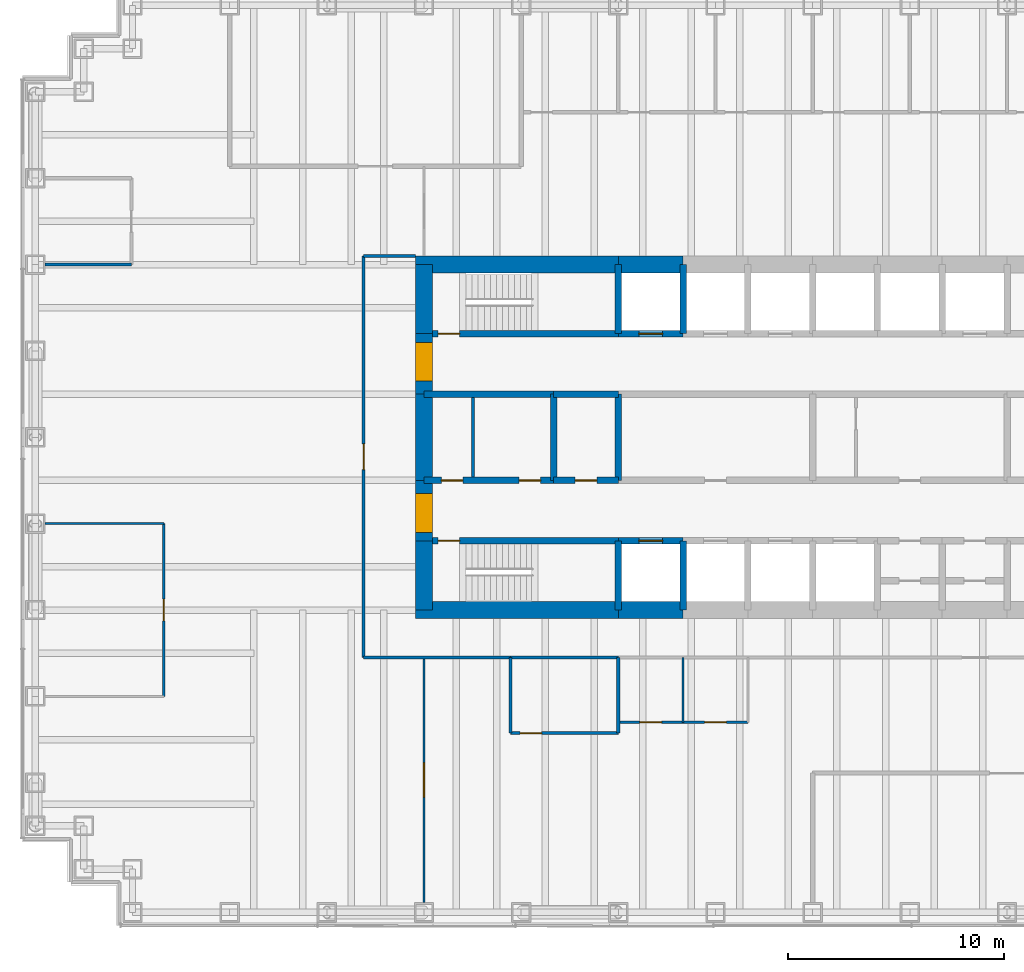
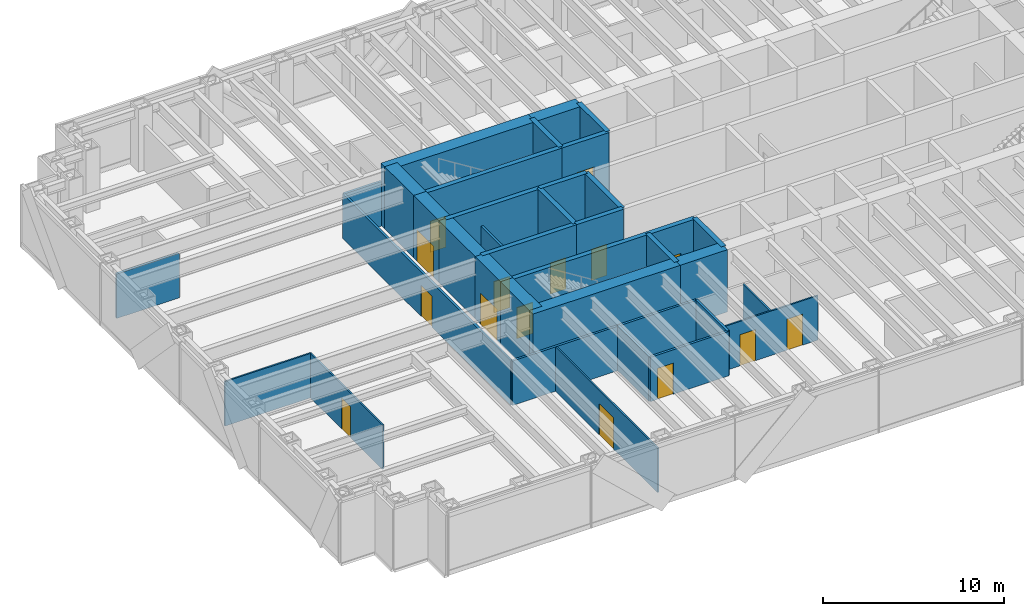
# One storey, part 10 of 14: 37 walls, 15 doors, 15 openings.
"""IFC4 building model written with IfcOpenShell, lengths in metres."""

from ifc_helpers import new_model, si_unit, direction, frame, frame_2d, origin, place, context, subcontext, project, spatial, rectangle, extrude, material, layer, layer_set, type_object, element, fill, save


model = new_model("IFC4")

# Units and contexts
model_context = context("Model", 3, precision=1e-05, world=origin(), true_north=direction((0.0, 1.0)))
body_context = subcontext(model_context, "Body", "Model", "MODEL_VIEW")
ifc_project = project(units=[si_unit("LENGTHUNIT", "METRE"), si_unit("AREAUNIT", "SQUARE_METRE"), si_unit("VOLUMEUNIT", "CUBIC_METRE"), si_unit("PLANEANGLEUNIT", "RADIAN"), si_unit("MASSUNIT", "GRAM", prefix="KILO")], contexts=[model_context])

# Site, building, storey
site_placement = place(None, origin())
site = spatial("IfcSite", under=ifc_project, at=site_placement, CompositionType="ELEMENT")
building_placement = place(site_placement, origin())
building = spatial("IfcBuilding", under=site, at=building_placement, Name="Rheinbord Bourse Tower", CompositionType="ELEMENT")
storey_placement = place(building_placement, frame((0.0, 0.0, 232.0)))
storey = spatial("IfcBuildingStorey", under=building, at=storey_placement, Name="L52", CompositionType="ELEMENT", Elevation=232.0)

# Wall, opening, door
ifc_material_1 = material(Name="Concrete C50/60", Category="concrete")
ifc_layer_1 = layer(ifc_material_1, 0.300048828125)
ifc_layer_set_1 = layer_set([ifc_layer_1], Name="CORE INNER WALL 300")
wall_type_1 = type_object("IfcWallType", Name="CORE INNER WALL 300", PredefinedType="SOLIDWALL", material=ifc_layer_set_1)
wall_1_placement = place(storey_placement, frame((18.0, 19.199951171875, 0.0), z_axis=(0.0, 0.0, 1.0), x_axis=(1.0, 0.0, 0.0)))
wall_1 = element("IfcWall", 1, at=wall_1_placement, inside=storey, type_object=wall_type_1, Name="Core wall A1 L52", PredefinedType="SOLIDWALL", context=body_context, shape_type="SweptSolid", body=[
    extrude(rectangle(XDim=9.0, YDim=0.300048828125, at=frame_2d((4.5, 0.0))), origin(), (0.0, 0.0, 1.0), 4.199951171875),
])
opening_1_placement = place(wall_1_placement, frame((0.64990234375, 0.0, 0.0)))
opening_1 = element("IfcOpeningElement", 2, at=opening_1_placement, cuts=wall_1, Name="Opening 5210", PredefinedType="OPENING", context=body_context, shape_type="SweptSolid", body=[
    extrude(rectangle(XDim=1.0, YDim=2.10009765625, at=frame_2d((0.5, 1.050048828125))), frame((0.0, 0.159912109375, 0.0), z_axis=(0.0, -1.0, 0.0), x_axis=(1.0, 0.0, 0.0)), (0.0, 0.0, 1.0), 0.320068359375),
])
ifc_material_2 = material(Name="Steel door", Category="steel")
door_type_1 = type_object("IfcDoorType", Name="DOOR 1000 EI30", OperationType="SINGLE_SWING_LEFT", PredefinedType="DOOR", material=ifc_material_2)
door_1_placement = place(opening_1_placement, origin())
door_1 = element("IfcDoor", 3, at=door_1_placement, inside=storey, type_object=door_type_1, Name="Stair door ST1 L52", OperationType="SINGLE_SWING_LEFT", OverallHeight=2.10009765625, OverallWidth=1.0, PredefinedType="DOOR", context=body_context, shape_type="SweptSolid", body=[
    extrude(rectangle(XDim=1.0, YDim=2.10009765625, at=frame_2d((0.5, 1.050048828125))), frame((0.0, 0.02490234375, 0.0), z_axis=(0.0, -1.0, 0.0), x_axis=(1.0, 0.0, 0.0)), (0.0, 0.0, 1.0), 0.050048828125),
])
fill(opening_1, door_1)

wall_2_placement = place(storey_placement, frame((27.0, 19.199951171875, 0.0), z_axis=(0.0, 0.0, 1.0), x_axis=(1.0, 0.0, 0.0)))
wall_2 = element("IfcWall", 4, at=wall_2_placement, inside=storey, type_object=wall_type_1, Name="Core wall A2 L52", PredefinedType="SOLIDWALL", context=body_context, shape_type="SweptSolid", body=[
    extrude(rectangle(XDim=3.0, YDim=0.300048828125, at=frame_2d((1.5, 0.0))), origin(), (0.0, 0.0, 1.0), 4.199951171875),
])
opening_2_placement = place(wall_2_placement, frame((0.949951171875, 0.0, 0.0)))
opening_2 = element("IfcOpeningElement", 5, at=opening_2_placement, cuts=wall_2, Name="Opening FL1", PredefinedType="OPENING", context=body_context, shape_type="SweptSolid", body=[
    extrude(rectangle(XDim=1.10009765625, YDim=2.199951171875, at=frame_2d((0.550048828125, 1.10009765625))), frame((0.0, 0.159912109375, 0.0), z_axis=(0.0, -1.0, 0.0), x_axis=(1.0, 0.0, 0.0)), (0.0, 0.0, 1.0), 0.320068359375),
])
ifc_material_3 = material(Name="Steel landing door", Category="steel")
door_type_2 = type_object("IfcDoorType", Name="LIFT LANDING DOOR 1100", OperationType="DOUBLE_DOOR_SLIDING", PredefinedType="USERDEFINED", material=ifc_material_3)
door_2_placement = place(opening_2_placement, origin())
door_2 = element("IfcDoor", 6, at=door_2_placement, inside=storey, type_object=door_type_2, Name="Lift landing door FL1 L52", ObjectType="LIFT LANDING DOOR", OperationType="DOUBLE_DOOR_SLIDING", OverallHeight=2.199951171875, OverallWidth=1.10009765625, PredefinedType="USERDEFINED", context=body_context, shape_type="SweptSolid", body=[
    extrude(rectangle(XDim=1.10009765625, YDim=2.199951171875, at=frame_2d((0.550048828125, 1.10009765625))), frame((0.0, 0.02490234375, 0.0), z_axis=(0.0, -1.0, 0.0), x_axis=(1.0, 0.0, 0.0)), (0.0, 0.0, 1.0), 0.050048828125),
])
fill(opening_2, door_2)

wall_3_placement = place(storey_placement, frame((18.0, 28.800048828125, 0.0), z_axis=(0.0, 0.0, 1.0), x_axis=(1.0, 0.0, 0.0)))
wall_3 = element("IfcWall", 7, at=wall_3_placement, inside=storey, type_object=wall_type_1, Name="Core wall B1 L52", PredefinedType="SOLIDWALL", context=body_context, shape_type="SweptSolid", body=[
    extrude(rectangle(XDim=9.0, YDim=0.300048828125, at=frame_2d((4.5, 0.0))), origin(), (0.0, 0.0, 1.0), 4.199951171875),
])
opening_3_placement = place(wall_3_placement, frame((0.64990234375, 0.0, 0.0)))
opening_3 = element("IfcOpeningElement", 8, at=opening_3_placement, cuts=wall_3, Name="Opening 5220", PredefinedType="OPENING", context=body_context, shape_type="SweptSolid", body=[
    extrude(rectangle(XDim=1.0, YDim=2.10009765625, at=frame_2d((0.5, 1.050048828125))), frame((0.0, 0.159912109375, 0.0), z_axis=(0.0, -1.0, 0.0), x_axis=(1.0, 0.0, 0.0)), (0.0, 0.0, 1.0), 0.320068359375),
])
door_3_placement = place(opening_3_placement, origin())
door_3 = element("IfcDoor", 9, at=door_3_placement, inside=storey, type_object=door_type_1, Name="Stair door ST2 L52", OperationType="SINGLE_SWING_LEFT", OverallHeight=2.10009765625, OverallWidth=1.0, PredefinedType="DOOR", context=body_context, shape_type="SweptSolid", body=[
    extrude(rectangle(XDim=1.0, YDim=2.10009765625, at=frame_2d((0.5, 1.050048828125))), frame((0.0, 0.02490234375, 0.0), z_axis=(0.0, -1.0, 0.0), x_axis=(1.0, 0.0, 0.0)), (0.0, 0.0, 1.0), 0.050048828125),
])
fill(opening_3, door_3)

wall_4_placement = place(storey_placement, frame((27.0, 28.800048828125, 0.0), z_axis=(0.0, 0.0, 1.0), x_axis=(1.0, 0.0, 0.0)))
wall_4 = element("IfcWall", 10, at=wall_4_placement, inside=storey, type_object=wall_type_1, Name="Core wall B2 L52", PredefinedType="SOLIDWALL", context=body_context, shape_type="SweptSolid", body=[
    extrude(rectangle(XDim=3.0, YDim=0.300048828125, at=frame_2d((1.5, 0.0))), origin(), (0.0, 0.0, 1.0), 4.199951171875),
])
opening_4_placement = place(wall_4_placement, frame((0.949951171875, 0.0, 0.0)))
opening_4 = element("IfcOpeningElement", 11, at=opening_4_placement, cuts=wall_4, Name="Opening GL1", PredefinedType="OPENING", context=body_context, shape_type="SweptSolid", body=[
    extrude(rectangle(XDim=1.10009765625, YDim=2.199951171875, at=frame_2d((0.550048828125, 1.10009765625))), frame((0.0, 0.159912109375, 0.0), z_axis=(0.0, -1.0, 0.0), x_axis=(1.0, 0.0, 0.0)), (0.0, 0.0, 1.0), 0.320068359375),
])
door_4_placement = place(opening_4_placement, origin())
door_4 = element("IfcDoor", 12, at=door_4_placement, inside=storey, type_object=door_type_2, Name="Lift landing door GL1 L52", ObjectType="LIFT LANDING DOOR", OperationType="DOUBLE_DOOR_SLIDING", OverallHeight=2.199951171875, OverallWidth=1.10009765625, PredefinedType="USERDEFINED", context=body_context, shape_type="SweptSolid", body=[
    extrude(rectangle(XDim=1.10009765625, YDim=2.199951171875, at=frame_2d((0.550048828125, 1.10009765625))), frame((0.0, 0.02490234375, 0.0), z_axis=(0.0, -1.0, 0.0), x_axis=(1.0, 0.0, 0.0)), (0.0, 0.0, 1.0), 0.050048828125),
])
fill(opening_4, door_4)

# Wall, openings, doors
wall_5_placement = place(storey_placement, frame((18.0, 22.0, 0.0), z_axis=(0.0, 0.0, 1.0), x_axis=(1.0, 0.0, 0.0)))
wall_5 = element("IfcWall", 13, at=wall_5_placement, inside=storey, type_object=wall_type_1, Name="Core wall C1 L52", PredefinedType="SOLIDWALL", context=body_context, shape_type="SweptSolid", body=[
    extrude(rectangle(XDim=6.0, YDim=0.300048828125, at=frame_2d((3.0, 0.0))), origin(), (0.0, 0.0, 1.0), 4.199951171875),
])
opening_5_placement = place(wall_5_placement, frame((4.39990234375, 0.0, 0.0)))
opening_5 = element("IfcOpeningElement", 14, at=opening_5_placement, cuts=wall_5, Name="Opening 52R1", PredefinedType="OPENING", context=body_context, shape_type="SweptSolid", body=[
    extrude(rectangle(XDim=1.0, YDim=2.10009765625, at=frame_2d((0.5, 1.050048828125))), frame((0.0, 0.159912109375, 0.0), z_axis=(0.0, -1.0, 0.0), x_axis=(1.0, 0.0, 0.0)), (0.0, 0.0, 1.0), 0.320068359375),
])
opening_6_placement = place(wall_5_placement, frame((0.800048828125, 0.0, 0.0)))
opening_6 = element("IfcOpeningElement", 15, at=opening_6_placement, cuts=wall_5, Name="Opening 52R9", PredefinedType="OPENING", context=body_context, shape_type="SweptSolid", body=[
    extrude(rectangle(XDim=1.0, YDim=2.10009765625, at=frame_2d((0.5, 1.050048828125))), frame((0.0, 0.159912109375, 0.0), z_axis=(0.0, -1.0, 0.0), x_axis=(1.0, 0.0, 0.0)), (0.0, 0.0, 1.0), 0.320068359375),
])
door_5_placement = place(opening_6_placement, origin())
door_5 = element("IfcDoor", 16, at=door_5_placement, inside=storey, type_object=door_type_1, Name="Baby change door L52", OperationType="SINGLE_SWING_LEFT", OverallHeight=2.10009765625, OverallWidth=1.0, PredefinedType="DOOR", context=body_context, shape_type="SweptSolid", body=[
    extrude(rectangle(XDim=1.0, YDim=2.10009765625, at=frame_2d((0.5, 1.050048828125))), frame((0.0, 0.02490234375, 0.0), z_axis=(0.0, -1.0, 0.0), x_axis=(1.0, 0.0, 0.0)), (0.0, 0.0, 1.0), 0.050048828125),
])
fill(opening_6, door_5)
ifc_material_4 = material(Name="Timber door", Category="wood")
door_type_3 = type_object("IfcDoorType", Name="DOOR 1000 WC", OperationType="SINGLE_SWING_LEFT", PredefinedType="DOOR", material=ifc_material_4)
door_6_placement = place(opening_5_placement, origin())
door_6 = element("IfcDoor", 17, at=door_6_placement, inside=storey, type_object=door_type_3, Name="WC men door L52", OperationType="SINGLE_SWING_RIGHT", OverallHeight=2.10009765625, OverallWidth=1.0, PredefinedType="DOOR", context=body_context, shape_type="SweptSolid", body=[
    extrude(rectangle(XDim=1.0, YDim=2.10009765625, at=frame_2d((0.5, 1.050048828125))), frame((0.0, 0.02490234375, 0.0), z_axis=(0.0, -1.0, 0.0), x_axis=(1.0, 0.0, 0.0)), (0.0, 0.0, 1.0), 0.050048828125),
])
fill(opening_5, door_6)

# Wall, opening, door
wall_6_placement = place(storey_placement, frame((24.0, 22.0, 0.0), z_axis=(0.0, 0.0, 1.0), x_axis=(1.0, 0.0, 0.0)))
wall_6 = element("IfcWall", 18, at=wall_6_placement, inside=storey, type_object=wall_type_1, Name="Core wall C2 L52", PredefinedType="SOLIDWALL", context=body_context, shape_type="SweptSolid", body=[
    extrude(rectangle(XDim=3.0, YDim=0.300048828125, at=frame_2d((1.5, 0.0))), origin(), (0.0, 0.0, 1.0), 4.199951171875),
])
opening_7_placement = place(wall_6_placement, frame((1.0, 0.0, 0.0)))
opening_7 = element("IfcOpeningElement", 19, at=opening_7_placement, cuts=wall_6, Name="Opening 52R2", PredefinedType="OPENING", context=body_context, shape_type="SweptSolid", body=[
    extrude(rectangle(XDim=1.0, YDim=2.10009765625, at=frame_2d((0.5, 1.050048828125))), frame((0.0, 0.159912109375, 0.0), z_axis=(0.0, -1.0, 0.0), x_axis=(1.0, 0.0, 0.0)), (0.0, 0.0, 1.0), 0.320068359375),
])
door_7_placement = place(opening_7_placement, origin())
door_7 = element("IfcDoor", 20, at=door_7_placement, inside=storey, type_object=door_type_3, Name="Shower and accessible WC door L52", OperationType="SINGLE_SWING_LEFT", OverallHeight=2.10009765625, OverallWidth=1.0, PredefinedType="DOOR", context=body_context, shape_type="SweptSolid", body=[
    extrude(rectangle(XDim=1.0, YDim=2.10009765625, at=frame_2d((0.5, 1.050048828125))), frame((0.0, 0.02490234375, 0.0), z_axis=(0.0, -1.0, 0.0), x_axis=(1.0, 0.0, 0.0)), (0.0, 0.0, 1.0), 0.050048828125),
])
fill(opening_7, door_7)

# Walls
wall_7_placement = place(storey_placement, frame((18.0, 26.0, 0.0), z_axis=(0.0, 0.0, 1.0), x_axis=(1.0, 0.0, 0.0)))
element("IfcWall", 21, at=wall_7_placement, inside=storey, type_object=wall_type_1, Name="Core wall D1 L52", PredefinedType="SOLIDWALL", context=body_context, shape_type="SweptSolid", body=[
    extrude(rectangle(XDim=6.0, YDim=0.300048828125, at=frame_2d((3.0, 0.0))), origin(), (0.0, 0.0, 1.0), 4.199951171875),
])
wall_8_placement = place(storey_placement, frame((24.0, 26.0, 0.0), z_axis=(0.0, 0.0, 1.0), x_axis=(1.0, 0.0, 0.0)))
element("IfcWall", 22, at=wall_8_placement, inside=storey, type_object=wall_type_1, Name="Core wall D2 L52", PredefinedType="SOLIDWALL", context=body_context, shape_type="SweptSolid", body=[
    extrude(rectangle(XDim=3.0, YDim=0.300048828125, at=frame_2d((1.5, 0.0))), origin(), (0.0, 0.0, 1.0), 4.199951171875),
])
for number, where, z_axis, x_axis, name in (
    (23, (27.0, 16.0, 0.0), (0.0, 0.0, 1.0), (0.0, 1.0, 0.0), "Core wall SX27 L52"),
    (24, (27.0, 28.800048828125, 0.0), (0.0, 0.0, 1.0), (0.0, 1.0, 0.0), "Core wall NX27 L52"),
    (25, (30.0, 16.0, 0.0), (0.0, 0.0, 1.0), (0.0, 1.0, 0.0), "Core wall SX30 L52"),
    (26, (30.0, 28.800048828125, 0.0), (0.0, 0.0, 1.0), (0.0, 1.0, 0.0), "Core wall NX30 L52"),
):
    element("IfcWall", number, at=place(storey_placement, frame(where, z_axis=z_axis, x_axis=x_axis)), inside=storey, type_object=wall_type_1, Name=name, PredefinedType="SOLIDWALL", context=body_context, shape_type="SweptSolid", body=[
        extrude(rectangle(XDim=3.199951171875, YDim=0.300048828125, at=frame_2d((1.60009765625, 0.0))), origin(), (0.0, 0.0, 1.0), 4.199951171875),
    ])
for number, where, z_axis, x_axis, name in (
    (27, (24.0, 22.0, 0.0), (0.0, 0.0, 1.0), (0.0, 1.0, 0.0), "Core wall MX24 L52"),
    (28, (27.0, 22.0, 0.0), (0.0, 0.0, 1.0), (0.0, 1.0, 0.0), "Core wall MX27 L52"),
):
    element("IfcWall", number, at=place(storey_placement, frame(where, z_axis=z_axis, x_axis=x_axis)), inside=storey, type_object=wall_type_1, Name=name, PredefinedType="SOLIDWALL", context=body_context, shape_type="SweptSolid", body=[
        extrude(rectangle(XDim=4.0, YDim=0.300048828125, at=frame_2d((2.0, 0.0))), origin(), (0.0, 0.0, 1.0), 4.199951171875),
    ])
ifc_material_5 = material(Name="Gypsum board fire partition", Category="gypsum board")
ifc_layer_2 = layer(ifc_material_5, 0.14990234375)
ifc_layer_set_2 = layer_set([ifc_layer_2], Name="CORE PARTITION 150 EI30")
wall_type_2 = type_object("IfcWallType", Name="CORE PARTITION 150 EI30", PredefinedType="PARTITIONING", material=ifc_layer_set_2)
wall_9_placement = place(storey_placement, frame((20.27490234375, 22.14990234375, 0.0), z_axis=(0.0, 0.0, 1.0), x_axis=(0.0, 1.0, 0.0)))
element("IfcWall", 29, at=wall_9_placement, inside=storey, type_object=wall_type_2, Name="Core partition L52-2", PredefinedType="PARTITIONING", context=body_context, shape_type="SweptSolid", body=[
    extrude(rectangle(XDim=3.7001953125, YDim=0.14990234375, at=frame_2d((1.85009765625, 0.0))), origin(), (0.0, 0.0, 1.0), 3.0),
])
ifc_material_6 = material(Name="Concrete C50/60", Category="concrete")
ifc_layer_3 = layer(ifc_material_6, 0.800048828125)
ifc_layer_set_3 = layer_set([ifc_layer_3], Name="CORE WALL 800")
wall_type_3 = type_object("IfcWallType", Name="CORE WALL 800", PredefinedType="SHEAR", material=ifc_layer_set_3)
wall_10_placement = place(storey_placement, frame((17.60009765625, 16.0, 0.0), z_axis=(0.0, 0.0, 1.0), x_axis=(1.0, 0.0, 0.0)))
element("IfcWall", 30, at=wall_10_placement, inside=storey, type_object=wall_type_3, Name="Core wall S1 L52", PredefinedType="SHEAR", context=body_context, shape_type="SweptSolid", body=[
    extrude(rectangle(XDim=9.39990234375, YDim=0.800048828125, at=frame_2d((4.699951171875, 0.0))), origin(), (0.0, 0.0, 1.0), 4.199951171875),
])
for number, where, z_axis, x_axis, name in (
    (31, (27.0, 16.0, 0.0), (0.0, 0.0, 1.0), (1.0, 0.0, 0.0), "Core wall S2 L52"),
    (32, (30.0, 32.0, 0.0), (0.0, 0.0, 1.0), (-1.0, 0.0, 0.0), "Core wall N7 L52"),
):
    element("IfcWall", number, at=place(storey_placement, frame(where, z_axis=z_axis, x_axis=x_axis)), inside=storey, type_object=wall_type_3, Name=name, PredefinedType="SHEAR", context=body_context, shape_type="SweptSolid", body=[
        extrude(rectangle(XDim=3.0, YDim=0.800048828125, at=frame_2d((1.5, 0.0))), origin(), (0.0, 0.0, 1.0), 4.199951171875),
    ])
wall_11_placement = place(storey_placement, frame((27.0, 32.0, 0.0), z_axis=(0.0, 0.0, 1.0), x_axis=(-1.0, 0.0, 0.0)))
element("IfcWall", 33, at=wall_11_placement, inside=storey, type_object=wall_type_3, Name="Core wall N8 L52", PredefinedType="SHEAR", context=body_context, shape_type="SweptSolid", body=[
    extrude(rectangle(XDim=9.39990234375, YDim=0.800048828125, at=frame_2d((4.699951171875, 0.0))), origin(), (0.0, 0.0, 1.0), 4.199951171875),
])
wall_12_placement = place(storey_placement, frame((18.0, 32.0, 0.0), z_axis=(0.0, 0.0, 1.0), x_axis=(0.0, -1.0, 0.0)))
element("IfcWall", 34, at=wall_12_placement, inside=storey, type_object=wall_type_3, Name="Core wall W1 L52", PredefinedType="SHEAR", context=body_context, shape_type="SweptSolid", body=[
    extrude(rectangle(XDim=3.199951171875, YDim=0.800048828125, at=frame_2d((1.60009765625, 0.0))), origin(), (0.0, 0.0, 1.0), 4.199951171875),
])

# Wall, opening, door
wall_13_placement = place(storey_placement, frame((18.0, 28.800048828125, 0.0), z_axis=(0.0, 0.0, 1.0), x_axis=(0.0, -1.0, 0.0)))
wall_13 = element("IfcWall", 35, at=wall_13_placement, inside=storey, type_object=wall_type_3, Name="Core wall W2 L52", PredefinedType="SHEAR", context=body_context, shape_type="SweptSolid", body=[
    extrude(rectangle(XDim=2.800048828125, YDim=0.800048828125, at=frame_2d((1.39990234375, 0.0))), origin(), (0.0, 0.0, 1.0), 4.199951171875),
])
opening_8_placement = place(wall_13_placement, frame((0.39990234375, 0.0, 0.0)))
opening_8 = element("IfcOpeningElement", 36, at=opening_8_placement, cuts=wall_13, Name="Opening 52L2", PredefinedType="OPENING", context=body_context, shape_type="SweptSolid", body=[
    extrude(rectangle(XDim=1.800048828125, YDim=2.10009765625, at=frame_2d((0.89990234375, 1.050048828125))), frame((0.0, 0.409912109375, 0.0), z_axis=(0.0, -1.0, 0.0), x_axis=(1.0, 0.0, 0.0)), (0.0, 0.0, 1.0), 0.820068359375),
])
ifc_material_7 = material(Name="Steel door", Category="steel")
door_type_4 = type_object("IfcDoorType", Name="DOOR 1800 EI30 DOUBLE", OperationType="DOUBLE_DOOR_DOUBLE_SWING", PredefinedType="DOOR", material=ifc_material_7)
door_8_placement = place(opening_8_placement, origin())
door_8 = element("IfcDoor", 37, at=door_8_placement, inside=storey, type_object=door_type_4, Name="Lobby door 2 L52", OperationType="SINGLE_SWING_LEFT", OverallHeight=2.10009765625, OverallWidth=1.800048828125, PredefinedType="DOOR", context=body_context, shape_type="SweptSolid", body=[
    extrude(rectangle(XDim=1.800048828125, YDim=2.10009765625, at=frame_2d((0.89990234375, 1.050048828125))), frame((0.0, 0.39990234375, 0.0), z_axis=(0.0, -1.0, 0.0), x_axis=(1.0, 0.0, 0.0)), (0.0, 0.0, 1.0), 0.799560546875),
])
fill(opening_8, door_8)

# Wall
wall_14_placement = place(storey_placement, frame((18.0, 26.0, 0.0), z_axis=(0.0, 0.0, 1.0), x_axis=(0.0, -1.0, 0.0)))
element("IfcWall", 38, at=wall_14_placement, inside=storey, type_object=wall_type_3, Name="Core wall W3 L52", PredefinedType="SHEAR", context=body_context, shape_type="SweptSolid", body=[
    extrude(rectangle(XDim=4.0, YDim=0.800048828125, at=frame_2d((2.0, 0.0))), origin(), (0.0, 0.0, 1.0), 4.199951171875),
])

# Wall, opening, door
wall_15_placement = place(storey_placement, frame((18.0, 22.0, 0.0), z_axis=(0.0, 0.0, 1.0), x_axis=(0.0, -1.0, 0.0)))
wall_15 = element("IfcWall", 39, at=wall_15_placement, inside=storey, type_object=wall_type_3, Name="Core wall W4 L52", PredefinedType="SHEAR", context=body_context, shape_type="SweptSolid", body=[
    extrude(rectangle(XDim=2.800048828125, YDim=0.800048828125, at=frame_2d((1.39990234375, 0.0))), origin(), (0.0, 0.0, 1.0), 4.199951171875),
])
opening_9_placement = place(wall_15_placement, frame((0.60009765625, 0.0, 0.0)))
opening_9 = element("IfcOpeningElement", 40, at=opening_9_placement, cuts=wall_15, Name="Opening 52L1", PredefinedType="OPENING", context=body_context, shape_type="SweptSolid", body=[
    extrude(rectangle(XDim=1.800048828125, YDim=2.10009765625, at=frame_2d((0.89990234375, 1.050048828125))), frame((0.0, 0.409912109375, 0.0), z_axis=(0.0, -1.0, 0.0), x_axis=(1.0, 0.0, 0.0)), (0.0, 0.0, 1.0), 0.820068359375),
])
door_9_placement = place(opening_9_placement, origin())
door_9 = element("IfcDoor", 41, at=door_9_placement, inside=storey, type_object=door_type_4, Name="Lobby door 1 L52", OperationType="SINGLE_SWING_LEFT", OverallHeight=2.10009765625, OverallWidth=1.800048828125, PredefinedType="DOOR", context=body_context, shape_type="SweptSolid", body=[
    extrude(rectangle(XDim=1.800048828125, YDim=2.10009765625, at=frame_2d((0.89990234375, 1.050048828125))), frame((0.0, 0.39990234375, 0.0), z_axis=(0.0, -1.0, 0.0), x_axis=(1.0, 0.0, 0.0)), (0.0, 0.0, 1.0), 0.799560546875),
])
fill(opening_9, door_9)

# Walls
wall_16_placement = place(storey_placement, frame((18.0, 19.199951171875, 0.0), z_axis=(0.0, 0.0, 1.0), x_axis=(0.0, -1.0, 0.0)))
element("IfcWall", 42, at=wall_16_placement, inside=storey, type_object=wall_type_3, Name="Core wall W5 L52", PredefinedType="SHEAR", context=body_context, shape_type="SweptSolid", body=[
    extrude(rectangle(XDim=3.199951171875, YDim=0.800048828125, at=frame_2d((1.60009765625, 0.0))), origin(), (0.0, 0.0, 1.0), 4.199951171875),
])
ifc_material_8 = material(Name="Gypsum board corridor partition", Category="gypsum board")
ifc_layer_4 = layer(ifc_material_8, 0.14990234375)
ifc_layer_set_4 = layer_set([ifc_layer_4], Name="CORRIDOR PARTITION 150 EI30")
wall_type_4 = type_object("IfcWallType", Name="CORRIDOR PARTITION 150 EI30", PredefinedType="PARTITIONING", material=ifc_layer_set_4)
wall_17_placement = place(storey_placement, frame((15.199951171875, 13.800048828125, 0.0), z_axis=(0.0, 0.0, 1.0), x_axis=(1.0, 0.0, 0.0)))
element("IfcWall", 43, at=wall_17_placement, inside=storey, type_object=wall_type_4, Name="Partition L52-06", PredefinedType="PARTITIONING", context=body_context, shape_type="SweptSolid", body=[
    extrude(rectangle(XDim=6.800048828125, YDim=0.14990234375, at=frame_2d((3.39990234375, 0.0))), origin(), (0.0, 0.0, 1.0), 3.0),
])
wall_18_placement = place(storey_placement, frame((15.199951171875, 32.39990234375, 0.0), z_axis=(0.0, 0.0, 1.0), x_axis=(1.0, 0.0, 0.0)))
element("IfcWall", 44, at=wall_18_placement, inside=storey, type_object=wall_type_4, Name="Partition L52-14", PredefinedType="PARTITIONING", context=body_context, shape_type="SweptSolid", body=[
    extrude(rectangle(XDim=2.400146484375, YDim=0.14990234375, at=frame_2d((1.2001953125, 0.0))), origin(), (0.0, 0.0, 1.0), 3.0),
])

# Wall, opening, door
wall_19_placement = place(storey_placement, frame((15.199951171875, 13.800048828125, 0.0), z_axis=(0.0, 0.0, 1.0), x_axis=(0.0, 1.0, 0.0)))
wall_19 = element("IfcWall", 45, at=wall_19_placement, inside=storey, type_object=wall_type_4, Name="Partition L52-22", PredefinedType="PARTITIONING", context=body_context, shape_type="SweptSolid", body=[
    extrude(rectangle(XDim=18.599853515625, YDim=0.14990234375, at=frame_2d((9.2998046875, 0.0))), origin(), (0.0, 0.0, 1.0), 3.0),
])
opening_10_placement = place(wall_19_placement, frame((8.699951171875, 0.0, 0.0)))
opening_10 = element("IfcOpeningElement", 46, at=opening_10_placement, cuts=wall_19, Name="Opening 52D20", PredefinedType="OPENING", context=body_context, shape_type="SweptSolid", body=[
    extrude(rectangle(XDim=1.199951171875, YDim=2.10009765625, at=frame_2d((0.60009765625, 1.050048828125))), frame((0.0, 0.0849609375, 0.0), z_axis=(0.0, -1.0, 0.0), x_axis=(1.0, 0.0, 0.0)), (0.0, 0.0, 1.0), 0.169921875),
])
ifc_material_9 = material(Name="Timber fire door", Category="wood")
door_type_5 = type_object("IfcDoorType", Name="SUITE ENTRANCE DOOR 1200 EI30", OperationType="SINGLE_SWING_LEFT", PredefinedType="DOOR", material=ifc_material_9)
door_10_placement = place(opening_10_placement, origin())
door_10 = element("IfcDoor", 47, at=door_10_placement, inside=storey, type_object=door_type_5, Name="Suite entrance 1 door L52", OperationType="SINGLE_SWING_LEFT", OverallHeight=2.10009765625, OverallWidth=1.199951171875, PredefinedType="DOOR", context=body_context, shape_type="SweptSolid", body=[
    extrude(rectangle(XDim=1.199951171875, YDim=2.10009765625, at=frame_2d((0.60009765625, 1.050048828125))), frame((0.0, 0.02490234375, 0.0), z_axis=(0.0, -1.0, 0.0), x_axis=(1.0, 0.0, 0.0)), (0.0, 0.0, 1.0), 0.050048828125),
])
fill(opening_10, door_10)

ifc_material_10 = material(Name="Gypsum board fire partition", Category="gypsum board")
ifc_layer_5 = layer(ifc_material_10, 0.14990234375)
ifc_layer_set_5 = layer_set([ifc_layer_5], Name="FIRE PARTITION 150 EI60")
wall_type_5 = type_object("IfcWallType", Name="FIRE PARTITION 150 EI60", PredefinedType="PARTITIONING", material=ifc_layer_set_5)
wall_20_placement = place(storey_placement, frame((22.0, 10.300048828125, 0.0), z_axis=(0.0, 0.0, 1.0), x_axis=(1.0, 0.0, 0.0)))
wall_20 = element("IfcWall", 48, at=wall_20_placement, inside=storey, type_object=wall_type_5, Name="Partition L52-02", PredefinedType="PARTITIONING", context=body_context, shape_type="SweptSolid", body=[
    extrude(rectangle(XDim=5.0, YDim=0.14990234375, at=frame_2d((2.5, 0.0))), origin(), (0.0, 0.0, 1.0), 3.0),
])
opening_11_placement = place(wall_20_placement, frame((0.449951171875, 0.0, 0.0)))
opening_11 = element("IfcOpeningElement", 49, at=opening_11_placement, cuts=wall_20, Name="Opening 52D02", PredefinedType="OPENING", context=body_context, shape_type="SweptSolid", body=[
    extrude(rectangle(XDim=1.0, YDim=2.10009765625, at=frame_2d((0.5, 1.050048828125))), frame((0.0, 0.0849609375, 0.0), z_axis=(0.0, -1.0, 0.0), x_axis=(1.0, 0.0, 0.0)), (0.0, 0.0, 1.0), 0.169921875),
])
ifc_material_11 = material(Name="Timber fire door", Category="wood")
door_type_6 = type_object("IfcDoorType", Name="FIRE DOOR 1000 EI60", OperationType="SINGLE_SWING_LEFT", PredefinedType="DOOR", material=ifc_material_11)
door_11_placement = place(opening_11_placement, origin())
door_11 = element("IfcDoor", 50, at=door_11_placement, inside=storey, type_object=door_type_6, Name="Comms room door L52", OperationType="SINGLE_SWING_LEFT", OverallHeight=2.10009765625, OverallWidth=1.0, PredefinedType="DOOR", context=body_context, shape_type="SweptSolid", body=[
    extrude(rectangle(XDim=1.0, YDim=2.10009765625, at=frame_2d((0.5, 1.050048828125))), frame((0.0, 0.02490234375, 0.0), z_axis=(0.0, -1.0, 0.0), x_axis=(1.0, 0.0, 0.0)), (0.0, 0.0, 1.0), 0.050048828125),
])
fill(opening_11, door_11)

# Walls
wall_21_placement = place(storey_placement, frame((22.0, 13.800048828125, 0.0), z_axis=(0.0, 0.0, 1.0), x_axis=(1.0, 0.0, 0.0)))
element("IfcWall", 51, at=wall_21_placement, inside=storey, type_object=wall_type_5, Name="Partition L52-07", PredefinedType="PARTITIONING", context=body_context, shape_type="SweptSolid", body=[
    extrude(rectangle(XDim=5.0, YDim=0.14990234375, at=frame_2d((2.5, 0.0))), origin(), (0.0, 0.0, 1.0), 3.0),
])
for number, where, z_axis, x_axis, name in (
    (52, (22.0, 10.300048828125, 0.0), (0.0, 0.0, 1.0), (0.0, 1.0, 0.0), "Partition L52-25"),
    (53, (27.0, 10.300048828125, 0.0), (0.0, 0.0, 1.0), (0.0, 1.0, 0.0), "Partition L52-27"),
):
    element("IfcWall", number, at=place(storey_placement, frame(where, z_axis=z_axis, x_axis=x_axis)), inside=storey, type_object=wall_type_5, Name=name, PredefinedType="PARTITIONING", context=body_context, shape_type="SweptSolid", body=[
        extrude(rectangle(XDim=3.5, YDim=0.14990234375, at=frame_2d((1.75, 0.0))), origin(), (0.0, 0.0, 1.0), 3.0),
    ])

# Wall, openings, doors
ifc_material_12 = material(Name="Toughened laminated glass partition", Category="glass")
ifc_layer_6 = layer(ifc_material_12, 0.10009765625)
ifc_layer_set_6 = layer_set([ifc_layer_6], Name="GLAZED PARTITION 100")
wall_type_6 = type_object("IfcWallType", Name="GLAZED PARTITION 100", PredefinedType="PARTITIONING", material=ifc_layer_set_6)
wall_22_placement = place(storey_placement, frame((27.0, 10.800048828125, 0.0), z_axis=(0.0, 0.0, 1.0), x_axis=(1.0, 0.0, 0.0)))
wall_22 = element("IfcWall", 54, at=wall_22_placement, inside=storey, type_object=wall_type_6, Name="Partition L52-03", PredefinedType="PARTITIONING", context=body_context, shape_type="SweptSolid", body=[
    extrude(rectangle(XDim=6.0, YDim=0.10009765625, at=frame_2d((3.0, 0.0))), origin(), (0.0, 0.0, 1.0), 3.0),
])
opening_12_placement = place(wall_22_placement, frame((1.0, 0.0, 0.0)))
opening_12 = element("IfcOpeningElement", 55, at=opening_12_placement, cuts=wall_22, Name="Opening 52D03", PredefinedType="OPENING", context=body_context, shape_type="SweptSolid", body=[
    extrude(rectangle(XDim=1.0, YDim=2.10009765625, at=frame_2d((0.5, 1.050048828125))), frame((0.0, 0.06005859375, 0.0), z_axis=(0.0, -1.0, 0.0), x_axis=(1.0, 0.0, 0.0)), (0.0, 0.0, 1.0), 0.1201171875),
])
opening_13_placement = place(wall_22_placement, frame((4.0, 0.0, 0.0)))
opening_13 = element("IfcOpeningElement", 56, at=opening_13_placement, cuts=wall_22, Name="Opening 52D04", PredefinedType="OPENING", context=body_context, shape_type="SweptSolid", body=[
    extrude(rectangle(XDim=1.0, YDim=2.10009765625, at=frame_2d((0.5, 1.050048828125))), frame((0.0, 0.06005859375, 0.0), z_axis=(0.0, -1.0, 0.0), x_axis=(1.0, 0.0, 0.0)), (0.0, 0.0, 1.0), 0.1201171875),
])
ifc_material_13 = material(Name="Timber door", Category="wood")
door_type_7 = type_object("IfcDoorType", Name="ROOM DOOR 1000", OperationType="SINGLE_SWING_LEFT", PredefinedType="DOOR", material=ifc_material_13)
door_12_placement = place(opening_12_placement, origin())
door_12 = element("IfcDoor", 57, at=door_12_placement, inside=storey, type_object=door_type_7, Name="Quiet room door L52", OperationType="SINGLE_SWING_LEFT", OverallHeight=2.10009765625, OverallWidth=1.0, PredefinedType="DOOR", context=body_context, shape_type="SweptSolid", body=[
    extrude(rectangle(XDim=1.0, YDim=2.10009765625, at=frame_2d((0.5, 1.050048828125))), frame((0.0, 0.02490234375, 0.0), z_axis=(0.0, -1.0, 0.0), x_axis=(1.0, 0.0, 0.0)), (0.0, 0.0, 1.0), 0.050048828125),
])
fill(opening_12, door_12)
door_13_placement = place(opening_13_placement, origin())
door_13 = element("IfcDoor", 58, at=door_13_placement, inside=storey, type_object=door_type_7, Name="Quiet room door L52", OperationType="SINGLE_SWING_RIGHT", OverallHeight=2.10009765625, OverallWidth=1.0, PredefinedType="DOOR", context=body_context, shape_type="SweptSolid", body=[
    extrude(rectangle(XDim=1.0, YDim=2.10009765625, at=frame_2d((0.5, 1.050048828125))), frame((0.0, 0.02490234375, 0.0), z_axis=(0.0, -1.0, 0.0), x_axis=(1.0, 0.0, 0.0)), (0.0, 0.0, 1.0), 0.050048828125),
])
fill(opening_13, door_13)

# Wall
wall_23_placement = place(storey_placement, frame((0.449951171875, 20.0, 0.0), z_axis=(0.0, 0.0, 1.0), x_axis=(1.0, 0.0, 0.0)))
element("IfcWall", 59, at=wall_23_placement, inside=storey, type_object=wall_type_6, Name="Partition L52-09", PredefinedType="PARTITIONING", context=body_context, shape_type="SweptSolid", body=[
    extrude(rectangle(XDim=5.5, YDim=0.10009765625, at=frame_2d((2.75, 0.0))), origin(), (0.0, 0.0, 1.0), 3.0),
])

# Wall, opening, door
wall_24_placement = place(storey_placement, frame((5.949951171875, 12.0, 0.0), z_axis=(0.0, 0.0, 1.0), x_axis=(0.0, 1.0, 0.0)))
wall_24 = element("IfcWall", 60, at=wall_24_placement, inside=storey, type_object=wall_type_6, Name="Partition L52-20", PredefinedType="PARTITIONING", context=body_context, shape_type="SweptSolid", body=[
    extrude(rectangle(XDim=8.0, YDim=0.10009765625, at=frame_2d((4.0, 0.0))), origin(), (0.0, 0.0, 1.0), 3.0),
])
opening_14_placement = place(wall_24_placement, frame((3.5, 0.0, 0.0)))
opening_14 = element("IfcOpeningElement", 61, at=opening_14_placement, cuts=wall_24, Name="Opening 52D06", PredefinedType="OPENING", context=body_context, shape_type="SweptSolid", body=[
    extrude(rectangle(XDim=1.0, YDim=2.10009765625, at=frame_2d((0.5, 1.050048828125))), frame((0.0, 0.06005859375, 0.0), z_axis=(0.0, -1.0, 0.0), x_axis=(1.0, 0.0, 0.0)), (0.0, 0.0, 1.0), 0.1201171875),
])
door_14_placement = place(opening_14_placement, origin())
door_14 = element("IfcDoor", 62, at=door_14_placement, inside=storey, type_object=door_type_7, Name="Meeting room door L52", OperationType="SINGLE_SWING_LEFT", OverallHeight=2.10009765625, OverallWidth=1.0, PredefinedType="DOOR", context=body_context, shape_type="SweptSolid", body=[
    extrude(rectangle(XDim=1.0, YDim=2.10009765625, at=frame_2d((0.5, 1.050048828125))), frame((0.0, 0.02490234375, 0.0), z_axis=(0.0, -1.0, 0.0), x_axis=(1.0, 0.0, 0.0)), (0.0, 0.0, 1.0), 0.050048828125),
])
fill(opening_14, door_14)

wall_25_placement = place(storey_placement, frame((18.0, 2.449951171875, 0.0), z_axis=(0.0, 0.0, 1.0), x_axis=(0.0, 1.0, 0.0)))
wall_25 = element("IfcWall", 63, at=wall_25_placement, inside=storey, type_object=wall_type_6, Name="Partition L52-23", PredefinedType="PARTITIONING", context=body_context, shape_type="SweptSolid", body=[
    extrude(rectangle(XDim=11.35009765625, YDim=0.10009765625, at=frame_2d((5.675048828125, 0.0))), origin(), (0.0, 0.0, 1.0), 3.0),
])
opening_15_placement = place(wall_25_placement, frame((4.875, 0.0, 0.0)))
opening_15 = element("IfcOpeningElement", 64, at=opening_15_placement, cuts=wall_25, Name="Opening 52D16", PredefinedType="OPENING", context=body_context, shape_type="SweptSolid", body=[
    extrude(rectangle(XDim=1.60009765625, YDim=2.10009765625, at=frame_2d((0.800048828125, 1.050048828125))), frame((0.0, 0.06005859375, 0.0), z_axis=(0.0, -1.0, 0.0), x_axis=(1.0, 0.0, 0.0)), (0.0, 0.0, 1.0), 0.1201171875),
])
ifc_material_14 = material(Name="Timber door", Category="wood")
door_type_8 = type_object("IfcDoorType", Name="DOUBLE ROOM DOOR 1600", OperationType="DOUBLE_DOOR_DOUBLE_SWING", PredefinedType="DOOR", material=ifc_material_14)
door_15_placement = place(opening_15_placement, origin())
door_15 = element("IfcDoor", 65, at=door_15_placement, inside=storey, type_object=door_type_8, Name="Open area door L52", OperationType="SINGLE_SWING_LEFT", OverallHeight=2.10009765625, OverallWidth=1.60009765625, PredefinedType="DOOR", context=body_context, shape_type="SweptSolid", body=[
    extrude(rectangle(XDim=1.60009765625, YDim=2.10009765625, at=frame_2d((0.800048828125, 1.050048828125))), frame((0.0, 0.02490234375, 0.0), z_axis=(0.0, -1.0, 0.0), x_axis=(1.0, 0.0, 0.0)), (0.0, 0.0, 1.0), 0.050048828125),
])
fill(opening_15, door_15)

# Walls
wall_26_placement = place(storey_placement, frame((30.0, 10.800048828125, 0.0), z_axis=(0.0, 0.0, 1.0), x_axis=(0.0, 1.0, 0.0)))
element("IfcWall", 66, at=wall_26_placement, inside=storey, type_object=wall_type_6, Name="Partition L52-29", PredefinedType="PARTITIONING", context=body_context, shape_type="SweptSolid", body=[
    extrude(rectangle(XDim=3.0, YDim=0.10009765625, at=frame_2d((1.5, 0.0))), origin(), (0.0, 0.0, 1.0), 3.0),
])
ifc_material_15 = material(Name="Gypsum board partition", Category="gypsum board")
ifc_layer_7 = layer(ifc_material_15, 0.14990234375)
ifc_layer_set_7 = layer_set([ifc_layer_7], Name="PARTITION 150")
wall_type_7 = type_object("IfcWallType", Name="PARTITION 150", PredefinedType="PARTITIONING", material=ifc_layer_set_7)
wall_27_placement = place(storey_placement, frame((0.449951171875, 32.0, 0.0), z_axis=(0.0, 0.0, 1.0), x_axis=(1.0, 0.0, 0.0)))
element("IfcWall", 67, at=wall_27_placement, inside=storey, type_object=wall_type_7, Name="Partition L52-12", PredefinedType="PARTITIONING", context=body_context, shape_type="SweptSolid", body=[
    extrude(rectangle(XDim=4.0, YDim=0.14990234375, at=frame_2d((2.0, 0.0))), origin(), (0.0, 0.0, 1.0), 3.0),
])

save(model, "model.ifc")
